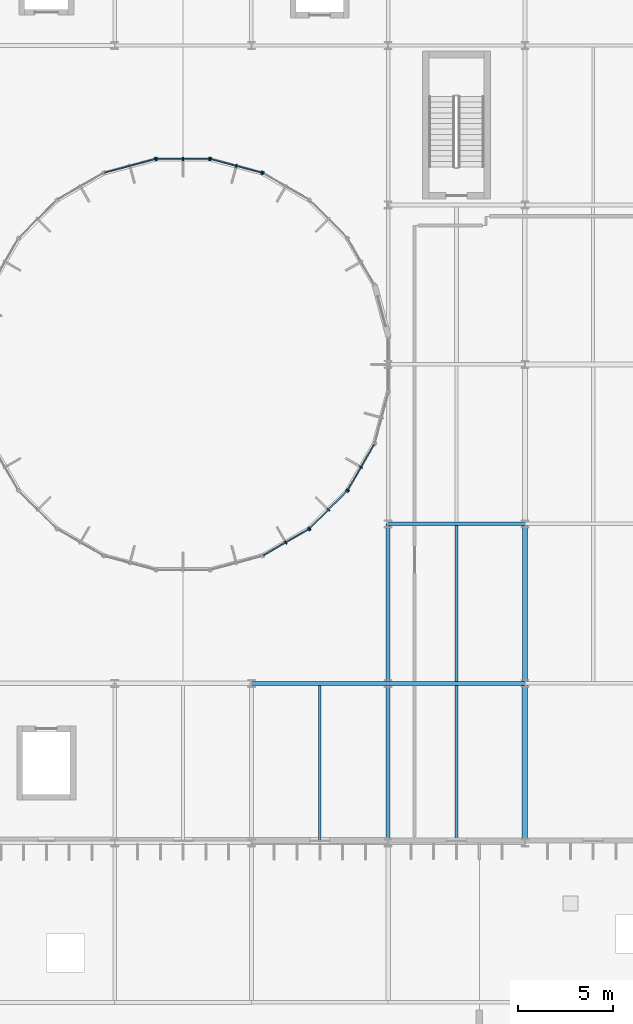
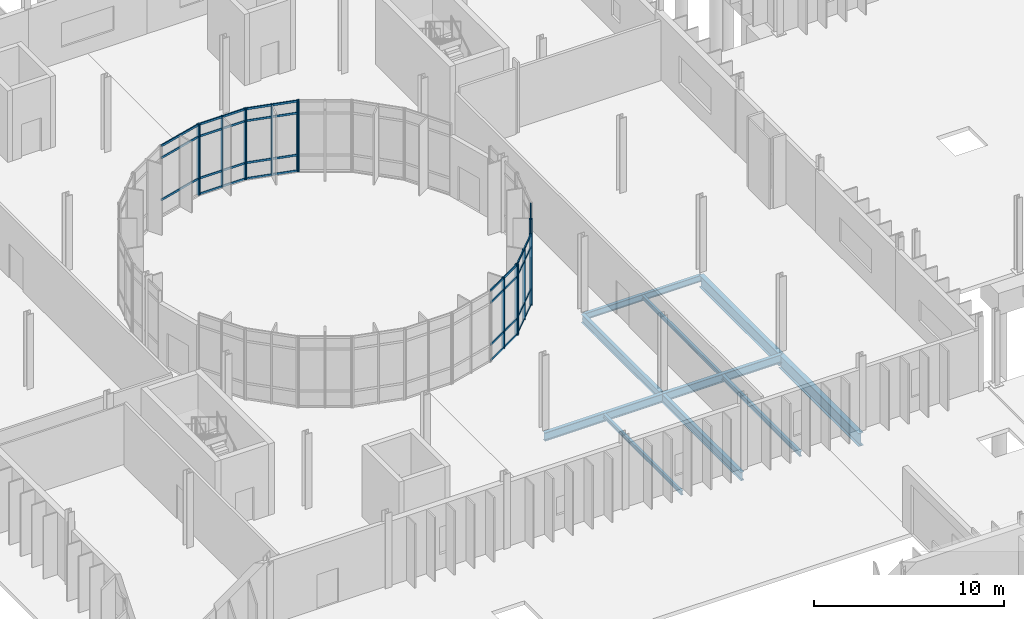
# One storey, part 41 of 118: 38 members, 10 beams, 7 elements without a shape of their own.
"""IFC4 building model written with IfcOpenShell, lengths in metres."""

from ifc_helpers import new_model, si_unit, direction, frame, origin, origin_2d, place, context, subcontext, project, spatial, rectangle, i_section, extrude, material, material_profile, profile_set, type_object, element, aggregate, save


model = new_model("IFC4")

# Units and contexts
model_context = context("Model", 3, precision=1e-05, world=origin(), true_north=direction((0.0, 1.0)))
body_context = subcontext(model_context, "Body", "Model", "MODEL_VIEW")
ifc_project = project(units=[si_unit("LENGTHUNIT", "METRE"), si_unit("AREAUNIT", "SQUARE_METRE"), si_unit("VOLUMEUNIT", "CUBIC_METRE"), si_unit("PLANEANGLEUNIT", "RADIAN"), si_unit("MASSUNIT", "GRAM", prefix="KILO")], contexts=[model_context])

# Site, building, storey
site_placement = place(None, origin())
site = spatial("IfcSite", under=ifc_project, at=site_placement, CompositionType="ELEMENT")
building_placement = place(site_placement, origin())
building = spatial("IfcBuilding", under=site, at=building_placement, Name="Qelthora Terrace Specialist Clinic", CompositionType="ELEMENT")
storey_placement = place(building_placement, origin())
storey = spatial("IfcBuildingStorey", under=building, at=storey_placement, Name="L00", CompositionType="ELEMENT", Elevation=0.0)

# Beams
ifc_material_1 = material(Name="Steel S355", Category="steel")
ifc_material_profile_1 = material_profile(ifc_material_1, i_section(OverallWidth=0.178955078125, OverallDepth=0.409912109375, WebThickness=0.0087890625, FlangeThickness=0.014404296875, FilletRadius=0.011962890625, at=origin_2d()), Name="W410X67")
ifc_profile_set_1 = profile_set([ifc_material_profile_1], Name="Steel S355")
beam_type_1 = type_object("IfcBeamType", Name="BM-W410X67", PredefinedType="BEAM", material=ifc_profile_set_1)
beam_1_placement = place(storey_placement, frame((36.0, 75.60009765625, -0.455078125), z_axis=(1.0, 0.0, 0.0), x_axis=(0.0, 1.0, 0.0)))
element("IfcBeam", 1, at=beam_1_placement, inside=storey, type_object=beam_type_1, Name="Girder BMX-L00-0052", PredefinedType="BEAM", context=body_context, shape_type="SweptSolid", body=[
    extrude(i_section(OverallWidth=0.178955078125, OverallDepth=0.409912109375, WebThickness=0.0087890625, FlangeThickness=0.014404296875, FilletRadius=0.011962890625, at=origin_2d()), origin(), (0.0, 0.0, 1.0), 7.199951171875),
])
ifc_material_profile_2 = material_profile(ifc_material_1, i_section(OverallWidth=0.2099609375, OverallDepth=0.537109375, WebThickness=0.010986328125, FlangeThickness=0.017333984375, FilletRadius=0.013916015625, at=origin_2d()), Name="W530X101")
ifc_profile_set_2 = profile_set([ifc_material_profile_2], Name="Steel S355")
beam_type_2 = type_object("IfcBeamType", Name="BM-W530X101", PredefinedType="BEAM", material=ifc_profile_set_2)
beam_2_placement = place(storey_placement, frame((36.0, 67.199951171875, -0.5185546875), z_axis=(1.0, 0.0, 0.0), x_axis=(0.0, 1.0, 0.0)))
element("IfcBeam", 2, at=beam_2_placement, inside=storey, type_object=beam_type_2, Name="Girder BMX-L00-0048", PredefinedType="BEAM", context=body_context, shape_type="SweptSolid", body=[
    extrude(i_section(OverallWidth=0.2099609375, OverallDepth=0.537109375, WebThickness=0.010986328125, FlangeThickness=0.017333984375, FilletRadius=0.013916015625, at=origin_2d()), origin(), (0.0, 0.0, 1.0), 7.199951171875),
])
beam_3_placement = place(storey_placement, frame((36.0, 67.199951171875, -0.5185546875), z_axis=(0.0, 1.0, 0.0), x_axis=(-1.0, 0.0, 0.0)))
element("IfcBeam", 3, at=beam_3_placement, inside=storey, type_object=beam_type_2, Name="Girder BMY-L00-0116", PredefinedType="BEAM", context=body_context, shape_type="SweptSolid", body=[
    extrude(i_section(OverallWidth=0.2099609375, OverallDepth=0.537109375, WebThickness=0.010986328125, FlangeThickness=0.017333984375, FilletRadius=0.013916015625, at=origin_2d()), origin(), (0.0, 0.0, 1.0), 8.400146484375),
])
ifc_material_profile_3 = material_profile(ifc_material_1, i_section(OverallWidth=0.2119140625, OverallDepth=0.5439453125, WebThickness=0.01318359375, FlangeThickness=0.021240234375, FilletRadius=0.013916015625, at=origin_2d()), Name="W530X123")
ifc_profile_set_3 = profile_set([ifc_material_profile_3], Name="Steel S355")
beam_type_3 = type_object("IfcBeamType", Name="BM-W530X123", PredefinedType="BEAM", material=ifc_profile_set_3)
beam_4_placement = place(storey_placement, frame((28.800048828125, 67.199951171875, -0.52197265625), z_axis=(1.0, 0.0, 0.0), x_axis=(0.0, 1.0, 0.0)))
element("IfcBeam", 4, at=beam_4_placement, inside=storey, type_object=beam_type_3, Name="Girder BMX-L00-0047", PredefinedType="BEAM", context=body_context, shape_type="SweptSolid", body=[
    extrude(i_section(OverallWidth=0.2119140625, OverallDepth=0.5439453125, WebThickness=0.01318359375, FlangeThickness=0.021240234375, FilletRadius=0.013916015625, at=origin_2d()), origin(), (0.0, 0.0, 1.0), 7.199951171875),
])
beam_5_placement = place(storey_placement, frame((36.0, 58.800048828125, -0.52197265625), z_axis=(0.0, 1.0, 0.0), x_axis=(-1.0, 0.0, 0.0)))
element("IfcBeam", 5, at=beam_5_placement, inside=storey, type_object=beam_type_3, Name="Girder BMY-L00-0115", PredefinedType="BEAM", context=body_context, shape_type="SweptSolid", body=[
    extrude(i_section(OverallWidth=0.2119140625, OverallDepth=0.5439453125, WebThickness=0.01318359375, FlangeThickness=0.021240234375, FilletRadius=0.013916015625, at=origin_2d()), origin(), (0.0, 0.0, 1.0), 8.39990234375),
])
ifc_material_profile_4 = material_profile(ifc_material_1, i_section(OverallWidth=0.26806640625, OverallDepth=0.77001953125, WebThickness=0.015625, FlangeThickness=0.025390625, FilletRadius=0.01904296875, at=origin_2d()), Name="W760X196")
ifc_profile_set_4 = profile_set([ifc_material_profile_4], Name="Steel S355")
beam_type_4 = type_object("IfcBeamType", Name="BM-W760X196", PredefinedType="BEAM", material=ifc_profile_set_4)
beam_6_placement = place(storey_placement, frame((43.199951171875, 67.199951171875, -0.635009765625), z_axis=(0.0, 1.0, 0.0), x_axis=(-1.0, 0.0, 0.0)))
element("IfcBeam", 6, at=beam_6_placement, inside=storey, type_object=beam_type_4, Name="Girder BMY-L00-0122", PredefinedType="BEAM", context=body_context, shape_type="SweptSolid", body=[
    extrude(i_section(OverallWidth=0.26806640625, OverallDepth=0.77001953125, WebThickness=0.015625, FlangeThickness=0.025390625, FilletRadius=0.01904296875, at=origin_2d()), origin(), (0.0, 0.0, 1.0), 8.400146484375),
])
ifc_material_profile_5 = material_profile(ifc_material_1, i_section(OverallWidth=0.2939453125, OverallDepth=0.85107421875, WebThickness=0.01611328125, FlangeThickness=0.02685546875, FilletRadius=0.02001953125, at=origin_2d()), Name="W840X226")
ifc_profile_set_5 = profile_set([ifc_material_profile_5], Name="Steel S355")
beam_type_5 = type_object("IfcBeamType", Name="BM-W840X226", PredefinedType="BEAM", material=ifc_profile_set_5)
beam_7_placement = place(storey_placement, frame((43.199951171875, 58.800048828125, -0.675537109375), z_axis=(0.0, 1.0, 0.0), x_axis=(-1.0, 0.0, 0.0)))
element("IfcBeam", 7, at=beam_7_placement, inside=storey, type_object=beam_type_5, Name="Girder BMY-L00-0121", PredefinedType="BEAM", context=body_context, shape_type="SweptSolid", body=[
    extrude(i_section(OverallWidth=0.2939453125, OverallDepth=0.85107421875, WebThickness=0.01611328125, FlangeThickness=0.02685546875, FilletRadius=0.02001953125, at=origin_2d()), origin(), (0.0, 0.0, 1.0), 8.39990234375),
])

# Curtain wall, member
ifc_material_2 = material(Name="Aluminium anodized bronze", Category="aluminium")
curtain_wall_type = type_object("IfcCurtainWallType", Name="CW-CRTW-L00", PredefinedType="NOTDEFINED", material=ifc_material_2)
curtain_wall_1_placement = place(storey_placement, origin())
curtain_wall_1 = element("IfcCurtainWall", 8, at=curtain_wall_1_placement, inside=storey, type_object=curtain_wall_type, Name="Curtain wall CW-CW-L00-04", PredefinedType="NOTDEFINED")
ifc_material_profile_6 = material_profile(ifc_material_2, rectangle(XDim=0.06494140625, YDim=0.179931640625, at=origin_2d()), Name="CWM65X180")
ifc_profile_set_6 = profile_set([ifc_material_profile_6], Name="Aluminium anodized bronze")
member_type_1 = type_object("IfcMemberType", Name="CWM-65X180", PredefinedType="MULLION", material=ifc_profile_set_6)
member_1_placement = place(storey_placement, frame((29.410400390625, 94.07177734375, 0.0), z_axis=(0.0, 0.0, 1.0), x_axis=(-0.866025635896, 0.499999597971, 0.0)))
member_1 = element("IfcMember", 9, at=member_1_placement, type_object=member_type_1, Name="CW-CW-L00-04 mullion 3", PredefinedType="MULLION", context=body_context, shape_type="SweptSolid", body=[
    extrude(rectangle(XDim=0.06494140625, YDim=0.179931640625, at=origin_2d()), origin(), (0.0, 0.0, 1.0), 4.544921875),
])
aggregate(curtain_wall_1, [member_1])

# Curtain wall, members
curtain_wall_2_placement = place(storey_placement, origin())
curtain_wall_2 = element("IfcCurtainWall", 10, at=curtain_wall_2_placement, inside=storey, type_object=curtain_wall_type, Name="Curtain wall CW-CW-L00-05", PredefinedType="NOTDEFINED")
member_2_placement = place(storey_placement, frame((29.3447265625, 94.098876953125, 0.0), z_axis=(0.0, 0.0, 1.0), x_axis=(-0.96592547477, 0.258820356987, 0.0)))
member_2 = element("IfcMember", 11, at=member_2_placement, type_object=member_type_1, Name="CW-CW-L00-05 mullion 1", PredefinedType="MULLION", context=body_context, shape_type="SweptSolid", body=[
    extrude(rectangle(XDim=0.06494140625, YDim=0.179931640625, at=origin_2d()), origin(), (0.0, 0.0, 1.0), 4.544921875),
])
member_3_placement = place(storey_placement, frame((28.00244140625, 94.458740234375, 0.0), z_axis=(0.0, 0.0, 1.0), x_axis=(-0.96592547477, 0.258820356987, 0.0)))
member_3 = element("IfcMember", 12, at=member_3_placement, type_object=member_type_1, Name="CW-CW-L00-05 mullion 2", PredefinedType="MULLION", context=body_context, shape_type="SweptSolid", body=[
    extrude(rectangle(XDim=0.06494140625, YDim=0.179931640625, at=origin_2d()), origin(), (0.0, 0.0, 1.0), 4.544921875),
])
member_4_placement = place(storey_placement, frame((26.66015625, 94.818359375, 0.0), z_axis=(0.0, 0.0, 1.0), x_axis=(-0.96592547477, 0.258820356987, 0.0)))
member_4 = element("IfcMember", 13, at=member_4_placement, type_object=member_type_1, Name="CW-CW-L00-05 mullion 3", PredefinedType="MULLION", context=body_context, shape_type="SweptSolid", body=[
    extrude(rectangle(XDim=0.06494140625, YDim=0.179931640625, at=origin_2d()), origin(), (0.0, 0.0, 1.0), 4.544921875),
])

curtain_wall_3_placement = place(storey_placement, origin())
curtain_wall_3 = element("IfcCurtainWall", 14, at=curtain_wall_3_placement, inside=storey, type_object=curtain_wall_type, Name="Curtain wall CW-CW-L00-06", PredefinedType="NOTDEFINED")
member_5_placement = place(storey_placement, frame((26.589599609375, 94.82763671875, 0.0), z_axis=(0.0, 0.0, 1.0), x_axis=(-1.0, 0.0, 0.0)))
member_5 = element("IfcMember", 15, at=member_5_placement, type_object=member_type_1, Name="CW-CW-L00-06 mullion 1", PredefinedType="MULLION", context=body_context, shape_type="SweptSolid", body=[
    extrude(rectangle(XDim=0.06494140625, YDim=0.179931640625, at=origin_2d()), origin(), (0.0, 0.0, 1.0), 4.544921875),
])
member_6_placement = place(storey_placement, frame((25.199951171875, 94.82763671875, 0.0), z_axis=(0.0, 0.0, 1.0), x_axis=(-1.0, 0.0, 0.0)))
member_6 = element("IfcMember", 16, at=member_6_placement, type_object=member_type_1, Name="CW-CW-L00-06 mullion 2", PredefinedType="MULLION", context=body_context, shape_type="SweptSolid", body=[
    extrude(rectangle(XDim=0.06494140625, YDim=0.179931640625, at=origin_2d()), origin(), (0.0, 0.0, 1.0), 4.544921875),
])
member_7_placement = place(storey_placement, frame((23.810302734375, 94.82763671875, 0.0), z_axis=(0.0, 0.0, 1.0), x_axis=(-1.0, 0.0, 0.0)))
member_7 = element("IfcMember", 17, at=member_7_placement, type_object=member_type_1, Name="CW-CW-L00-06 mullion 3", PredefinedType="MULLION", context=body_context, shape_type="SweptSolid", body=[
    extrude(rectangle(XDim=0.06494140625, YDim=0.179931640625, at=origin_2d()), origin(), (0.0, 0.0, 1.0), 4.544921875),
])

# Curtain wall, member
curtain_wall_4_placement = place(storey_placement, origin())
curtain_wall_4 = element("IfcCurtainWall", 18, at=curtain_wall_4_placement, inside=storey, type_object=curtain_wall_type, Name="Curtain wall CW-CW-L00-07", PredefinedType="NOTDEFINED")
member_8_placement = place(storey_placement, frame((23.739990234375, 94.818359375, 0.0), z_axis=(0.0, 0.0, 1.0), x_axis=(-0.96592547477, -0.258820356987, 0.0)))
member_8 = element("IfcMember", 19, at=member_8_placement, type_object=member_type_1, Name="CW-CW-L00-07 mullion 1", PredefinedType="MULLION", context=body_context, shape_type="SweptSolid", body=[
    extrude(rectangle(XDim=0.06494140625, YDim=0.179931640625, at=origin_2d()), origin(), (0.0, 0.0, 1.0), 4.544921875),
])

# Curtain wall, members
curtain_wall_5_placement = place(storey_placement, origin())
curtain_wall_5 = element("IfcCurtainWall", 20, at=curtain_wall_5_placement, inside=storey, type_object=curtain_wall_type, Name="Curtain wall CW-CW-L00-20", PredefinedType="NOTDEFINED")
member_9_placement = place(storey_placement, frame((30.61376953125, 74.623046875, 0.0), z_axis=(0.0, 0.0, 1.0), x_axis=(0.866025635896, 0.499999597971, 0.0)))
member_9 = element("IfcMember", 21, at=member_9_placement, type_object=member_type_1, Name="CW-CW-L00-20 mullion 2", PredefinedType="MULLION", context=body_context, shape_type="SweptSolid", body=[
    extrude(rectangle(XDim=0.06494140625, YDim=0.179931640625, at=origin_2d()), origin(), (0.0, 0.0, 1.0), 4.544921875),
])
member_10_placement = place(storey_placement, frame((31.8173828125, 75.31787109375, 0.0), z_axis=(0.0, 0.0, 1.0), x_axis=(0.866025635896, 0.499999597971, 0.0)))
member_10 = element("IfcMember", 22, at=member_10_placement, type_object=member_type_1, Name="CW-CW-L00-20 mullion 3", PredefinedType="MULLION", context=body_context, shape_type="SweptSolid", body=[
    extrude(rectangle(XDim=0.06494140625, YDim=0.179931640625, at=origin_2d()), origin(), (0.0, 0.0, 1.0), 4.544921875),
])

curtain_wall_6_placement = place(storey_placement, origin())
curtain_wall_6 = element("IfcCurtainWall", 23, at=curtain_wall_6_placement, inside=storey, type_object=curtain_wall_type, Name="Curtain wall CW-CW-L00-21", PredefinedType="NOTDEFINED")
member_11_placement = place(storey_placement, frame((31.87353515625, 75.361083984375, 0.0), z_axis=(0.0, 0.0, 1.0), x_axis=(0.707106781187, 0.707106781187, 0.0)))
member_11 = element("IfcMember", 24, at=member_11_placement, type_object=member_type_1, Name="CW-CW-L00-21 mullion 1", PredefinedType="MULLION", context=body_context, shape_type="SweptSolid", body=[
    extrude(rectangle(XDim=0.06494140625, YDim=0.179931640625, at=origin_2d()), origin(), (0.0, 0.0, 1.0), 4.544921875),
])
member_12_placement = place(storey_placement, frame((32.856201171875, 76.34375, 0.0), z_axis=(0.0, 0.0, 1.0), x_axis=(0.707106781187, 0.707106781187, 0.0)))
member_12 = element("IfcMember", 25, at=member_12_placement, type_object=member_type_1, Name="CW-CW-L00-21 mullion 2", PredefinedType="MULLION", context=body_context, shape_type="SweptSolid", body=[
    extrude(rectangle(XDim=0.06494140625, YDim=0.179931640625, at=origin_2d()), origin(), (0.0, 0.0, 1.0), 4.544921875),
])
member_13_placement = place(storey_placement, frame((33.8388671875, 77.326416015625, 0.0), z_axis=(0.0, 0.0, 1.0), x_axis=(0.707106781187, 0.707106781187, 0.0)))
member_13 = element("IfcMember", 26, at=member_13_placement, type_object=member_type_1, Name="CW-CW-L00-21 mullion 3", PredefinedType="MULLION", context=body_context, shape_type="SweptSolid", body=[
    extrude(rectangle(XDim=0.06494140625, YDim=0.179931640625, at=origin_2d()), origin(), (0.0, 0.0, 1.0), 4.544921875),
])

curtain_wall_7_placement = place(storey_placement, origin())
curtain_wall_7 = element("IfcCurtainWall", 27, at=curtain_wall_7_placement, inside=storey, type_object=curtain_wall_type, Name="Curtain wall CW-CW-L00-22", PredefinedType="NOTDEFINED")
member_14_placement = place(storey_placement, frame((33.882080078125, 77.3828125, 0.0), z_axis=(0.0, 0.0, 1.0), x_axis=(0.499999597971, 0.866025635896, 0.0)))
member_14 = element("IfcMember", 28, at=member_14_placement, type_object=member_type_1, Name="CW-CW-L00-22 mullion 1", PredefinedType="MULLION", context=body_context, shape_type="SweptSolid", body=[
    extrude(rectangle(XDim=0.06494140625, YDim=0.179931640625, at=origin_2d()), origin(), (0.0, 0.0, 1.0), 4.544921875),
])
member_15_placement = place(storey_placement, frame((34.576904296875, 78.586181640625, 0.0), z_axis=(0.0, 0.0, 1.0), x_axis=(0.499999597971, 0.866025635896, 0.0)))
member_15 = element("IfcMember", 29, at=member_15_placement, type_object=member_type_1, Name="CW-CW-L00-22 mullion 2", PredefinedType="MULLION", context=body_context, shape_type="SweptSolid", body=[
    extrude(rectangle(XDim=0.06494140625, YDim=0.179931640625, at=origin_2d()), origin(), (0.0, 0.0, 1.0), 4.544921875),
])

# Member
ifc_material_profile_7 = material_profile(ifc_material_2, rectangle(XDim=0.06494140625, YDim=0.1298828125, at=origin_2d()), Name="CWT65X130")
ifc_profile_set_7 = profile_set([ifc_material_profile_7], Name="Aluminium anodized bronze")
member_type_2 = type_object("IfcMemberType", Name="CWT-65X130", PredefinedType="USERDEFINED", material=ifc_profile_set_7)
member_16_placement = place(storey_placement, frame((29.325439453125, 94.104248046875, 0.0400390625), z_axis=(-0.965926569303, 0.258816272122, 0.0), x_axis=(-0.258816272122, -0.965926569303, 0.0)))
member_16 = element("IfcMember", 30, at=member_16_placement, type_object=member_type_2, Name="CW-CW-L00-05 transom 1", ObjectType="TRANSOM", PredefinedType="USERDEFINED", context=body_context, shape_type="SweptSolid", body=[
    extrude(rectangle(XDim=0.06494140625, YDim=0.1298828125, at=origin_2d()), origin(), (0.0, 0.0, 1.0), 2.7392578125),
])

member_17_placement = place(storey_placement, frame((29.325439453125, 94.104248046875, 1.050048828125), z_axis=(-0.965926569303, 0.258816272122, 0.0), x_axis=(-0.258816272122, -0.965926569303, 0.0)))
member_17 = element("IfcMember", 31, at=member_17_placement, type_object=member_type_2, Name="CW-CW-L00-05 transom 2", ObjectType="TRANSOM", PredefinedType="USERDEFINED", context=body_context, shape_type="SweptSolid", body=[
    extrude(rectangle(XDim=0.06494140625, YDim=0.1298828125, at=origin_2d()), origin(), (0.0, 0.0, 1.0), 2.7392578125),
])

member_18_placement = place(storey_placement, frame((29.325439453125, 94.104248046875, 3.7451171875), z_axis=(-0.965926569303, 0.258816272122, 0.0), x_axis=(-0.258816272122, -0.965926569303, 0.0)))
member_18 = element("IfcMember", 32, at=member_18_placement, type_object=member_type_2, Name="CW-CW-L00-05 transom 3", ObjectType="TRANSOM", PredefinedType="USERDEFINED", context=body_context, shape_type="SweptSolid", body=[
    extrude(rectangle(XDim=0.06494140625, YDim=0.1298828125, at=origin_2d()), origin(), (0.0, 0.0, 1.0), 2.7392578125),
])

member_19_placement = place(storey_placement, frame((29.325439453125, 94.104248046875, 4.5048828125), z_axis=(-0.965926569303, 0.258816272122, 0.0), x_axis=(-0.258816272122, -0.965926569303, 0.0)))
member_19 = element("IfcMember", 33, at=member_19_placement, type_object=member_type_2, Name="CW-CW-L00-05 transom 4", ObjectType="TRANSOM", PredefinedType="USERDEFINED", context=body_context, shape_type="SweptSolid", body=[
    extrude(rectangle(XDim=0.06494140625, YDim=0.1298828125, at=origin_2d()), origin(), (0.0, 0.0, 1.0), 2.7392578125),
])

aggregate(curtain_wall_2, [member_2, member_3, member_4, member_16, member_17, member_18, member_19])

member_20_placement = place(storey_placement, frame((26.569580078125, 94.82763671875, 0.0400390625), z_axis=(-1.0, 0.0, 0.0), x_axis=(0.0, -1.0, 0.0)))
member_20 = element("IfcMember", 34, at=member_20_placement, type_object=member_type_2, Name="CW-CW-L00-06 transom 1", ObjectType="TRANSOM", PredefinedType="USERDEFINED", context=body_context, shape_type="SweptSolid", body=[
    extrude(rectangle(XDim=0.06494140625, YDim=0.1298828125, at=origin_2d()), origin(), (0.0, 0.0, 1.0), 2.7392578125),
])

member_21_placement = place(storey_placement, frame((26.569580078125, 94.82763671875, 1.050048828125), z_axis=(-1.0, 0.0, 0.0), x_axis=(0.0, -1.0, 0.0)))
member_21 = element("IfcMember", 35, at=member_21_placement, type_object=member_type_2, Name="CW-CW-L00-06 transom 2", ObjectType="TRANSOM", PredefinedType="USERDEFINED", context=body_context, shape_type="SweptSolid", body=[
    extrude(rectangle(XDim=0.06494140625, YDim=0.1298828125, at=origin_2d()), origin(), (0.0, 0.0, 1.0), 2.7392578125),
])

member_22_placement = place(storey_placement, frame((26.569580078125, 94.82763671875, 3.7451171875), z_axis=(-1.0, 0.0, 0.0), x_axis=(0.0, -1.0, 0.0)))
member_22 = element("IfcMember", 36, at=member_22_placement, type_object=member_type_2, Name="CW-CW-L00-06 transom 3", ObjectType="TRANSOM", PredefinedType="USERDEFINED", context=body_context, shape_type="SweptSolid", body=[
    extrude(rectangle(XDim=0.06494140625, YDim=0.1298828125, at=origin_2d()), origin(), (0.0, 0.0, 1.0), 2.7392578125),
])

member_23_placement = place(storey_placement, frame((26.569580078125, 94.82763671875, 4.5048828125), z_axis=(-1.0, 0.0, 0.0), x_axis=(0.0, -1.0, 0.0)))
member_23 = element("IfcMember", 37, at=member_23_placement, type_object=member_type_2, Name="CW-CW-L00-06 transom 4", ObjectType="TRANSOM", PredefinedType="USERDEFINED", context=body_context, shape_type="SweptSolid", body=[
    extrude(rectangle(XDim=0.06494140625, YDim=0.1298828125, at=origin_2d()), origin(), (0.0, 0.0, 1.0), 2.7392578125),
])

aggregate(curtain_wall_3, [member_5, member_6, member_7, member_20, member_21, member_22, member_23])

member_24_placement = place(storey_placement, frame((23.720703125, 94.813232421875, 1.050048828125), z_axis=(-0.965926569303, -0.258816272122, 0.0), x_axis=(0.258816272122, -0.965926569303, 0.0)))
member_24 = element("IfcMember", 38, at=member_24_placement, type_object=member_type_2, Name="CW-CW-L00-07 transom 2", ObjectType="TRANSOM", PredefinedType="USERDEFINED", context=body_context, shape_type="SweptSolid", body=[
    extrude(rectangle(XDim=0.06494140625, YDim=0.1298828125, at=origin_2d()), origin(), (0.0, 0.0, 1.0), 2.7392578125),
])

member_25_placement = place(storey_placement, frame((23.720703125, 94.813232421875, 3.7451171875), z_axis=(-0.965926569303, -0.258816272122, 0.0), x_axis=(0.258816272122, -0.965926569303, 0.0)))
member_25 = element("IfcMember", 39, at=member_25_placement, type_object=member_type_2, Name="CW-CW-L00-07 transom 3", ObjectType="TRANSOM", PredefinedType="USERDEFINED", context=body_context, shape_type="SweptSolid", body=[
    extrude(rectangle(XDim=0.06494140625, YDim=0.1298828125, at=origin_2d()), origin(), (0.0, 0.0, 1.0), 2.7392578125),
])

member_26_placement = place(storey_placement, frame((23.720703125, 94.813232421875, 4.5048828125), z_axis=(-0.965926569303, -0.258816272122, 0.0), x_axis=(0.258816272122, -0.965926569303, 0.0)))
member_26 = element("IfcMember", 40, at=member_26_placement, type_object=member_type_2, Name="CW-CW-L00-07 transom 4", ObjectType="TRANSOM", PredefinedType="USERDEFINED", context=body_context, shape_type="SweptSolid", body=[
    extrude(rectangle(XDim=0.06494140625, YDim=0.1298828125, at=origin_2d()), origin(), (0.0, 0.0, 1.0), 2.7392578125),
])

aggregate(curtain_wall_4, [member_8, member_24, member_25, member_26])

member_27_placement = place(storey_placement, frame((29.427734375, 73.938232421875, 0.0400390625), z_axis=(0.866029747927, 0.499992475648, 0.0), x_axis=(-0.499992475648, 0.866029747927, 0.0)))
member_27 = element("IfcMember", 41, at=member_27_placement, type_object=member_type_2, Name="CW-CW-L00-20 transom 1", ObjectType="TRANSOM", PredefinedType="USERDEFINED", context=body_context, shape_type="SweptSolid", body=[
    extrude(rectangle(XDim=0.06494140625, YDim=0.1298828125, at=origin_2d()), origin(), (0.0, 0.0, 1.0), 2.7392578125),
])

member_28_placement = place(storey_placement, frame((29.427734375, 73.938232421875, 1.050048828125), z_axis=(0.866029747927, 0.499992475648, 0.0), x_axis=(-0.499992475648, 0.866029747927, 0.0)))
member_28 = element("IfcMember", 42, at=member_28_placement, type_object=member_type_2, Name="CW-CW-L00-20 transom 2", ObjectType="TRANSOM", PredefinedType="USERDEFINED", context=body_context, shape_type="SweptSolid", body=[
    extrude(rectangle(XDim=0.06494140625, YDim=0.1298828125, at=origin_2d()), origin(), (0.0, 0.0, 1.0), 2.7392578125),
])

member_29_placement = place(storey_placement, frame((29.427734375, 73.938232421875, 3.7451171875), z_axis=(0.866029747927, 0.499992475648, 0.0), x_axis=(-0.499992475648, 0.866029747927, 0.0)))
member_29 = element("IfcMember", 43, at=member_29_placement, type_object=member_type_2, Name="CW-CW-L00-20 transom 3", ObjectType="TRANSOM", PredefinedType="USERDEFINED", context=body_context, shape_type="SweptSolid", body=[
    extrude(rectangle(XDim=0.06494140625, YDim=0.1298828125, at=origin_2d()), origin(), (0.0, 0.0, 1.0), 2.7392578125),
])

member_30_placement = place(storey_placement, frame((29.427734375, 73.938232421875, 4.5048828125), z_axis=(0.866029747927, 0.499992475648, 0.0), x_axis=(-0.499992475648, 0.866029747927, 0.0)))
member_30 = element("IfcMember", 44, at=member_30_placement, type_object=member_type_2, Name="CW-CW-L00-20 transom 4", ObjectType="TRANSOM", PredefinedType="USERDEFINED", context=body_context, shape_type="SweptSolid", body=[
    extrude(rectangle(XDim=0.06494140625, YDim=0.1298828125, at=origin_2d()), origin(), (0.0, 0.0, 1.0), 2.7392578125),
])

aggregate(curtain_wall_5, [member_9, member_10, member_27, member_28, member_29, member_30])

member_31_placement = place(storey_placement, frame((31.8876953125, 75.375244140625, 0.0400390625), z_axis=(0.707106781187, 0.707106781187, 0.0), x_axis=(-0.707106781187, 0.707106781187, 0.0)))
member_31 = element("IfcMember", 45, at=member_31_placement, type_object=member_type_2, Name="CW-CW-L00-21 transom 1", ObjectType="TRANSOM", PredefinedType="USERDEFINED", context=body_context, shape_type="SweptSolid", body=[
    extrude(rectangle(XDim=0.06494140625, YDim=0.1298828125, at=origin_2d()), origin(), (0.0, 0.0, 1.0), 2.7392578125),
])

member_32_placement = place(storey_placement, frame((31.8876953125, 75.375244140625, 1.050048828125), z_axis=(0.707106781187, 0.707106781187, 0.0), x_axis=(-0.707106781187, 0.707106781187, 0.0)))
member_32 = element("IfcMember", 46, at=member_32_placement, type_object=member_type_2, Name="CW-CW-L00-21 transom 2", ObjectType="TRANSOM", PredefinedType="USERDEFINED", context=body_context, shape_type="SweptSolid", body=[
    extrude(rectangle(XDim=0.06494140625, YDim=0.1298828125, at=origin_2d()), origin(), (0.0, 0.0, 1.0), 2.7392578125),
])

member_33_placement = place(storey_placement, frame((31.8876953125, 75.375244140625, 3.7451171875), z_axis=(0.707106781187, 0.707106781187, 0.0), x_axis=(-0.707106781187, 0.707106781187, 0.0)))
member_33 = element("IfcMember", 47, at=member_33_placement, type_object=member_type_2, Name="CW-CW-L00-21 transom 3", ObjectType="TRANSOM", PredefinedType="USERDEFINED", context=body_context, shape_type="SweptSolid", body=[
    extrude(rectangle(XDim=0.06494140625, YDim=0.1298828125, at=origin_2d()), origin(), (0.0, 0.0, 1.0), 2.7392578125),
])

member_34_placement = place(storey_placement, frame((31.8876953125, 75.375244140625, 4.5048828125), z_axis=(0.707106781187, 0.707106781187, 0.0), x_axis=(-0.707106781187, 0.707106781187, 0.0)))
member_34 = element("IfcMember", 48, at=member_34_placement, type_object=member_type_2, Name="CW-CW-L00-21 transom 4", ObjectType="TRANSOM", PredefinedType="USERDEFINED", context=body_context, shape_type="SweptSolid", body=[
    extrude(rectangle(XDim=0.06494140625, YDim=0.1298828125, at=origin_2d()), origin(), (0.0, 0.0, 1.0), 2.7392578125),
])

aggregate(curtain_wall_6, [member_11, member_12, member_13, member_31, member_32, member_33, member_34])

member_35_placement = place(storey_placement, frame((33.89208984375, 77.39990234375, 0.0400390625), z_axis=(0.499953886166, 0.866052025982, 0.0), x_axis=(-0.866052025982, 0.499953886166, 0.0)))
member_35 = element("IfcMember", 49, at=member_35_placement, type_object=member_type_2, Name="CW-CW-L00-22 transom 1", ObjectType="TRANSOM", PredefinedType="USERDEFINED", context=body_context, shape_type="SweptSolid", body=[
    extrude(rectangle(XDim=0.06494140625, YDim=0.1298828125, at=origin_2d()), origin(), (0.0, 0.0, 1.0), 2.739501953125),
])

member_36_placement = place(storey_placement, frame((33.89208984375, 77.39990234375, 1.050048828125), z_axis=(0.499953886166, 0.866052025982, 0.0), x_axis=(-0.866052025982, 0.499953886166, 0.0)))
member_36 = element("IfcMember", 50, at=member_36_placement, type_object=member_type_2, Name="CW-CW-L00-22 transom 2", ObjectType="TRANSOM", PredefinedType="USERDEFINED", context=body_context, shape_type="SweptSolid", body=[
    extrude(rectangle(XDim=0.06494140625, YDim=0.1298828125, at=origin_2d()), origin(), (0.0, 0.0, 1.0), 2.739501953125),
])

member_37_placement = place(storey_placement, frame((33.89208984375, 77.39990234375, 3.7451171875), z_axis=(0.499953886166, 0.866052025982, 0.0), x_axis=(-0.866052025982, 0.499953886166, 0.0)))
member_37 = element("IfcMember", 51, at=member_37_placement, type_object=member_type_2, Name="CW-CW-L00-22 transom 3", ObjectType="TRANSOM", PredefinedType="USERDEFINED", context=body_context, shape_type="SweptSolid", body=[
    extrude(rectangle(XDim=0.06494140625, YDim=0.1298828125, at=origin_2d()), origin(), (0.0, 0.0, 1.0), 2.739501953125),
])

member_38_placement = place(storey_placement, frame((33.89208984375, 77.39990234375, 4.5048828125), z_axis=(0.499953886166, 0.866052025982, 0.0), x_axis=(-0.866052025982, 0.499953886166, 0.0)))
member_38 = element("IfcMember", 52, at=member_38_placement, type_object=member_type_2, Name="CW-CW-L00-22 transom 4", ObjectType="TRANSOM", PredefinedType="USERDEFINED", context=body_context, shape_type="SweptSolid", body=[
    extrude(rectangle(XDim=0.06494140625, YDim=0.1298828125, at=origin_2d()), origin(), (0.0, 0.0, 1.0), 2.739501953125),
])

aggregate(curtain_wall_7, [member_14, member_15, member_35, member_36, member_37, member_38])

# Beams
ifc_material_profile_8 = material_profile(ifc_material_1, i_section(OverallWidth=0.14697265625, OverallDepth=0.261962890625, WebThickness=0.006591796875, FlangeThickness=0.01123046875, FilletRadius=0.009033203125, at=origin_2d()), Name="W250X39")
ifc_profile_set_8 = profile_set([ifc_material_profile_8], Name="Steel S355")
beam_type_6 = type_object("IfcBeamType", Name="JST-W250X39", PredefinedType="JOIST", material=ifc_profile_set_8)
beam_8_placement = place(storey_placement, frame((32.39990234375, 58.8955078125, -0.381103515625), z_axis=(0.0, 1.0, 0.0), x_axis=(-1.0, 0.0, 0.0)))
element("IfcBeam", 53, at=beam_8_placement, inside=storey, type_object=beam_type_6, Name="Composite floor joist JST-L00-0029", PredefinedType="JOIST", context=body_context, shape_type="SweptSolid", body=[
    extrude(i_section(OverallWidth=0.14697265625, OverallDepth=0.261962890625, WebThickness=0.006591796875, FlangeThickness=0.01123046875, FilletRadius=0.009033203125, at=origin_2d()), origin(), (0.0, 0.0, 1.0), 8.198486328125),
])
beam_9_placement = place(storey_placement, frame((39.60009765625, 67.304931640625, -0.381103515625), z_axis=(0.0, 1.0, 0.0), x_axis=(-1.0, 0.0, 0.0)))
element("IfcBeam", 54, at=beam_9_placement, inside=storey, type_object=beam_type_6, Name="Composite floor joist JST-L00-0035", PredefinedType="JOIST", context=body_context, shape_type="SweptSolid", body=[
    extrude(i_section(OverallWidth=0.14697265625, OverallDepth=0.261962890625, WebThickness=0.006591796875, FlangeThickness=0.01123046875, FilletRadius=0.009033203125, at=origin_2d()), origin(), (0.0, 0.0, 1.0), 8.20556640625),
])
ifc_material_profile_9 = material_profile(ifc_material_1, i_section(OverallWidth=0.166015625, OverallDepth=0.31298828125, WebThickness=0.006591796875, FlangeThickness=0.01123046875, FilletRadius=0.010009765625, at=origin_2d()), Name="W310X45")
ifc_profile_set_9 = profile_set([ifc_material_profile_9], Name="Steel S355")
beam_type_7 = type_object("IfcBeamType", Name="JST-W310X45", PredefinedType="JOIST", material=ifc_profile_set_9)
beam_10_placement = place(storey_placement, frame((39.60009765625, 58.889404296875, -0.406494140625), z_axis=(0.0, 1.0, 0.0), x_axis=(-1.0, 0.0, 0.0)))
element("IfcBeam", 55, at=beam_10_placement, inside=storey, type_object=beam_type_7, Name="Composite floor joist JST-L00-0034", PredefinedType="JOIST", context=body_context, shape_type="SweptSolid", body=[
    extrude(i_section(OverallWidth=0.166015625, OverallDepth=0.31298828125, WebThickness=0.006591796875, FlangeThickness=0.01123046875, FilletRadius=0.010009765625, at=origin_2d()), origin(), (0.0, 0.0, 1.0), 8.20556640625),
])

save(model, "model.ifc")
